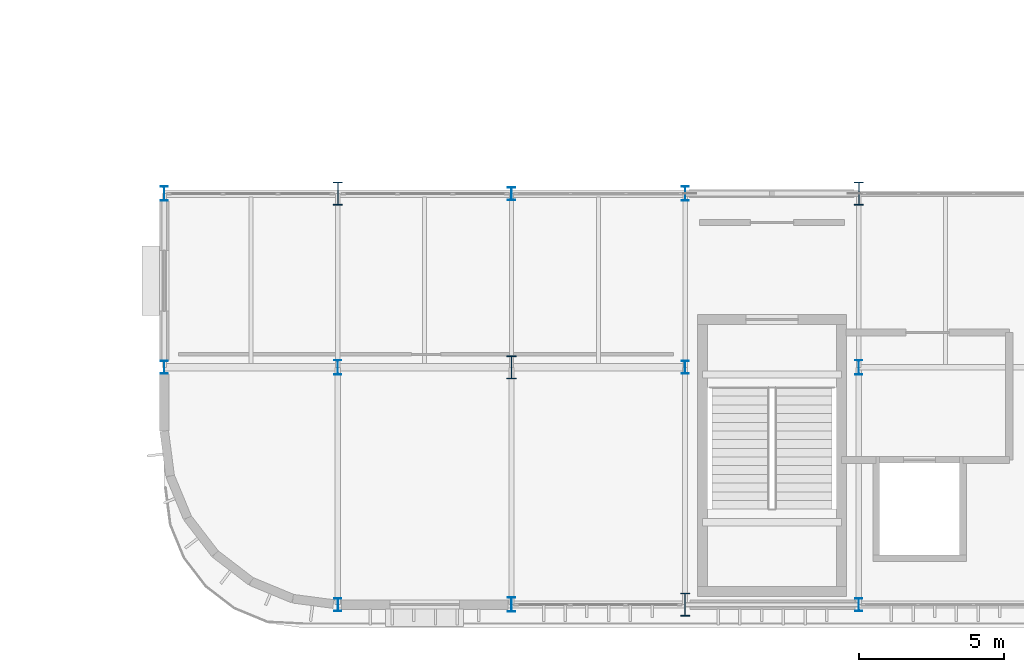
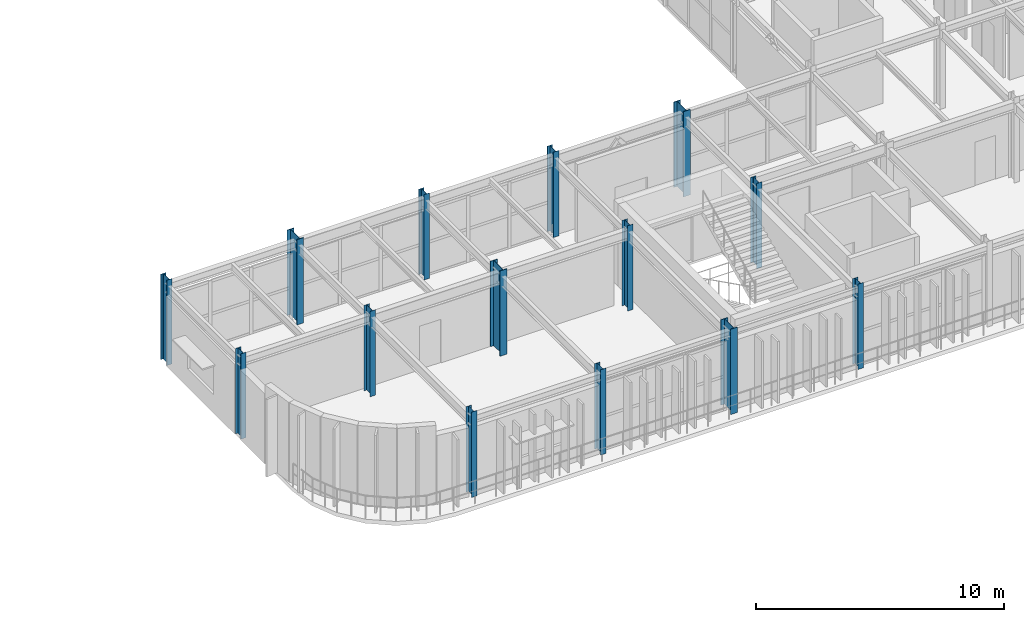
# One storey, part 6 of 83: 14 columns.
"""IFC4 building model written with IfcOpenShell, lengths in metres."""

from ifc_helpers import new_model, si_unit, direction, frame, origin, origin_2d, place, context, subcontext, project, spatial, i_section, extrude, material, material_profile, profile_set, type_object, element, save


model = new_model("IFC4")

# Units and contexts
model_context = context("Model", 3, precision=1e-05, world=origin(), true_north=direction((0.0, 1.0)))
body_context = subcontext(model_context, "Body", "Model", "MODEL_VIEW")
ifc_project = project(units=[si_unit("LENGTHUNIT", "METRE"), si_unit("AREAUNIT", "SQUARE_METRE"), si_unit("VOLUMEUNIT", "CUBIC_METRE"), si_unit("PLANEANGLEUNIT", "RADIAN"), si_unit("MASSUNIT", "GRAM", prefix="KILO")], contexts=[model_context])

# Site, building, storey
site_placement = place(None, origin())
site = spatial("IfcSite", under=ifc_project, at=site_placement, CompositionType="ELEMENT")
building_placement = place(site_placement, origin())
building = spatial("IfcBuilding", under=site, at=building_placement, Name="Varnakota Square Police Headquarters", CompositionType="ELEMENT")
storey_placement = place(building_placement, frame((0.0, 0.0, 18.0)))
storey = spatial("IfcBuildingStorey", under=building, at=storey_placement, Name="L04", CompositionType="ELEMENT", Elevation=18.0)

# Columns
ifc_material = material(Name="Steel IS 2062 Grade 350", Category="steel")
ifc_material_profile_1 = material_profile(ifc_material, i_section(OverallWidth=0.320068359375, OverallDepth=0.800048828125, WebThickness=0.01611328125, FlangeThickness=0.028076171875, at=origin_2d()), Name="BPG 800x320")
ifc_profile_set_1 = profile_set([ifc_material_profile_1], Name="Steel IS 2062 Grade 350")
column_type_1 = type_object("IfcColumnType", Name="COL-BPG800", PredefinedType="COLUMN", material=ifc_profile_set_1)
for number, where, z_axis, x_axis, name in (
    (1, (114.0, 15.0, 0.0), (0.0, 0.0, 1.0), (1.0, 0.0, 0.0), "Column X1140-Y0150 L04"),
    (2, (120.0, 9.0, 0.0), (0.0, 0.0, 1.0), (1.0, 0.0, 0.0), "Column X1200-Y0090 L04"),
    (3, (126.0, 0.800048828125, 0.0), (0.0, 0.0, 1.0), (1.0, 0.0, 0.0), "Column X1260-Y0008 L04"),
    (4, (132.0, 15.0, 0.0), (0.0, 0.0, 1.0), (1.0, 0.0, 0.0), "Column X1320-Y0150 L04"),
):
    element("IfcColumn", number, at=place(storey_placement, frame(where, z_axis=z_axis, x_axis=x_axis)), inside=storey, type_object=column_type_1, Name=name, PredefinedType="COLUMN", context=body_context, shape_type="SweptSolid", body=[
        extrude(i_section(OverallWidth=0.320068359375, OverallDepth=0.800048828125, WebThickness=0.01611328125, FlangeThickness=0.028076171875, at=origin_2d()), origin(), (0.0, 0.0, 1.0), 4.199951171875),
    ])
ifc_material_profile_2 = material_profile(ifc_material, i_section(OverallWidth=0.25, OverallDepth=0.449951171875, WebThickness=0.01123046875, FlangeThickness=0.013671875, FilletRadius=0.014892578125, at=origin_2d()), Name="ISHB 450")
ifc_profile_set_2 = profile_set([ifc_material_profile_2], Name="Steel IS 2062 Grade 350")
column_type_2 = type_object("IfcColumnType", Name="COL-ISHB450", PredefinedType="COLUMN", material=ifc_profile_set_2)
for number, where, z_axis, x_axis, name in (
    (5, (108.0, 9.0, 0.0), (0.0, 0.0, 1.0), (1.0, 0.0, 0.0), "Column X1080-Y0090 L04"),
    (6, (114.0, 0.800048828125, 0.0), (0.0, 0.0, 1.0), (1.0, 0.0, 0.0), "Column X1140-Y0008 L04"),
    (7, (120.0, 15.0, 0.0), (0.0, 0.0, 1.0), (1.0, 0.0, 0.0), "Column X1200-Y0150 L04"),
    (8, (126.0, 9.0, 0.0), (0.0, 0.0, 1.0), (1.0, 0.0, 0.0), "Column X1260-Y0090 L04"),
    (9, (132.0, 0.800048828125, 0.0), (0.0, 0.0, 1.0), (1.0, 0.0, 0.0), "Column X1320-Y0008 L04"),
):
    element("IfcColumn", number, at=place(storey_placement, frame(where, z_axis=z_axis, x_axis=x_axis)), inside=storey, type_object=column_type_2, Name=name, PredefinedType="COLUMN", context=body_context, shape_type="SweptSolid", body=[
        extrude(i_section(OverallWidth=0.25, OverallDepth=0.449951171875, WebThickness=0.01123046875, FlangeThickness=0.013671875, FilletRadius=0.014892578125, at=origin_2d()), origin(), (0.0, 0.0, 1.0), 4.199951171875),
    ])
ifc_material_profile_3 = material_profile(ifc_material, i_section(OverallWidth=0.25, OverallDepth=0.5, WebThickness=0.010009765625, FlangeThickness=0.0146484375, FilletRadius=0.014892578125, at=origin_2d()), Name="ISWB 500")
ifc_profile_set_3 = profile_set([ifc_material_profile_3], Name="Steel IS 2062 Grade 350")
column_type_3 = type_object("IfcColumnType", Name="COL-ISWB500", PredefinedType="COLUMN", material=ifc_profile_set_3)
for number, where, z_axis, x_axis, name in (
    (10, (108.0, 15.0, 0.0), (0.0, 0.0, 1.0), (1.0, 0.0, 0.0), "Column X1080-Y0150 L04"),
    (11, (114.0, 9.0, 0.0), (0.0, 0.0, 1.0), (1.0, 0.0, 0.0), "Column X1140-Y0090 L04"),
    (12, (120.0, 0.800048828125, 0.0), (0.0, 0.0, 1.0), (1.0, 0.0, 0.0), "Column X1200-Y0008 L04"),
    (13, (126.0, 15.0, 0.0), (0.0, 0.0, 1.0), (1.0, 0.0, 0.0), "Column X1260-Y0150 L04"),
    (14, (132.0, 9.0, 0.0), (0.0, 0.0, 1.0), (1.0, 0.0, 0.0), "Column X1320-Y0090 L04"),
):
    element("IfcColumn", number, at=place(storey_placement, frame(where, z_axis=z_axis, x_axis=x_axis)), inside=storey, type_object=column_type_3, Name=name, PredefinedType="COLUMN", context=body_context, shape_type="SweptSolid", body=[
        extrude(i_section(OverallWidth=0.25, OverallDepth=0.5, WebThickness=0.010009765625, FlangeThickness=0.0146484375, FilletRadius=0.014892578125, at=origin_2d()), origin(), (0.0, 0.0, 1.0), 4.199951171875),
    ])

save(model, "model.ifc")
